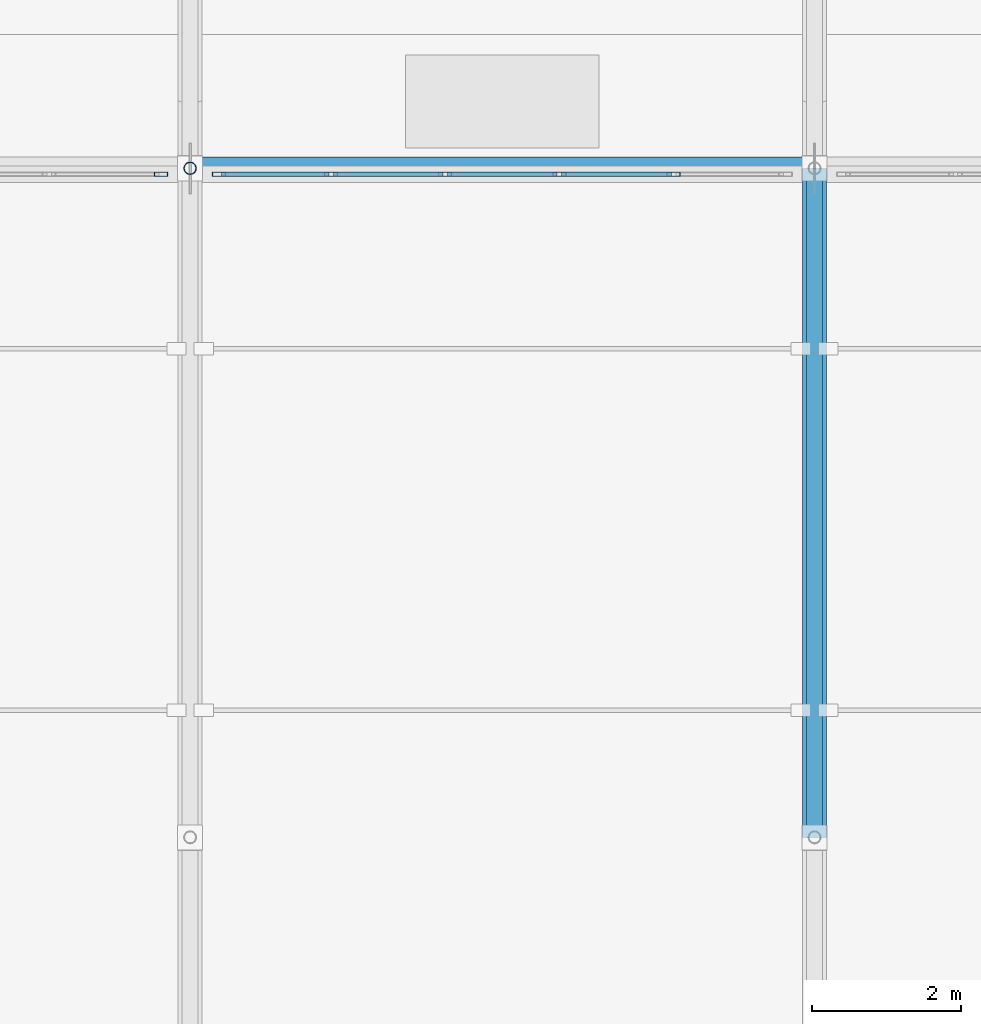
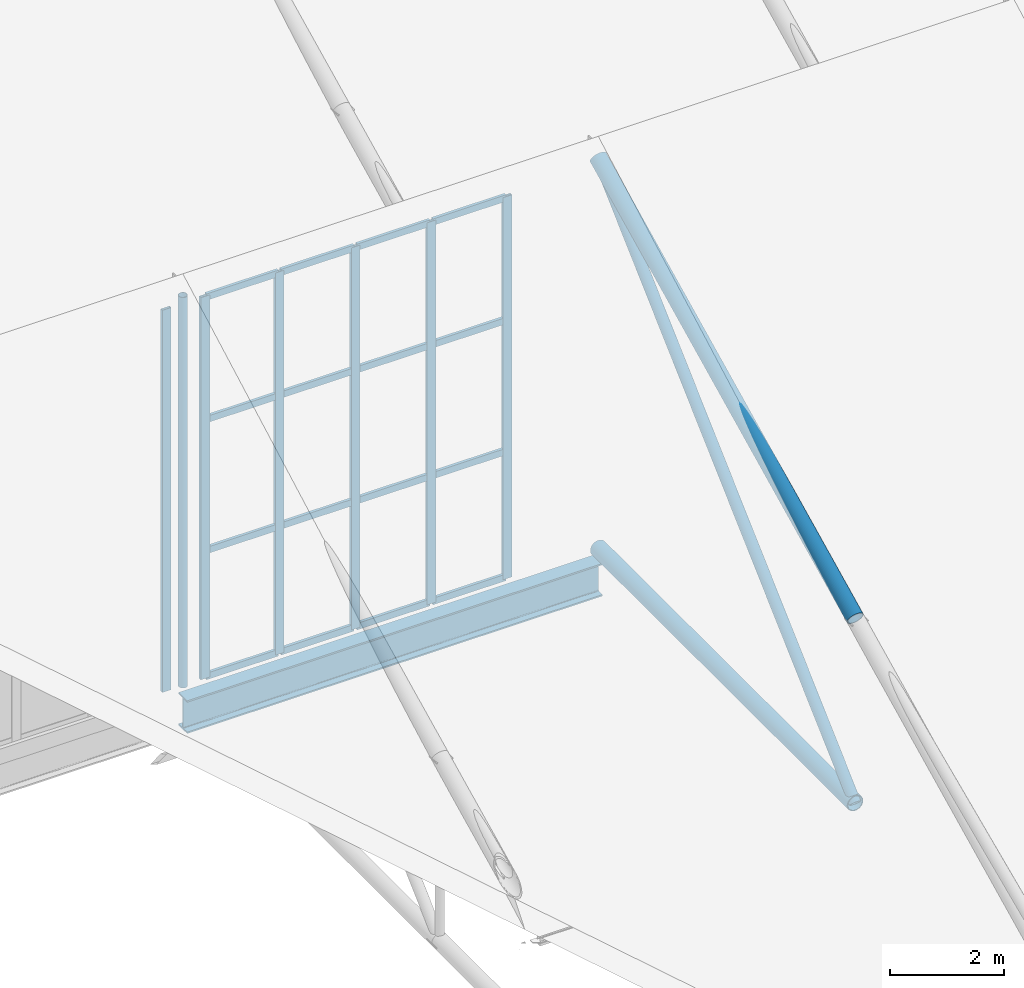
# One storey, part 7 of 38: 26 members, 1 beam, 2 elements without a shape of their own.
"""IFC4 building model written with IfcOpenShell, lengths in metres."""

from ifc_helpers import new_model, si_unit, direction, frame, origin, origin_2d, place, context, subcontext, project, spatial, hollow_rectangle, hollow_circle, i_section, extrude, material, material_profile, profile_set, type_object, element, aggregate, save


model = new_model("IFC4")

# Units and contexts
model_context = context("Model", 3, precision=1e-05, world=origin(), true_north=direction((0.0, 1.0)))
body_context = subcontext(model_context, "Body", "Model", "MODEL_VIEW")
ifc_project = project(units=[si_unit("LENGTHUNIT", "METRE"), si_unit("AREAUNIT", "SQUARE_METRE"), si_unit("VOLUMEUNIT", "CUBIC_METRE"), si_unit("PLANEANGLEUNIT", "RADIAN"), si_unit("MASSUNIT", "GRAM", prefix="KILO")], contexts=[model_context])

# Site, building, storey
site_placement = place(None, origin())
site = spatial("IfcSite", under=ifc_project, at=site_placement, CompositionType="ELEMENT")
building_placement = place(site_placement, origin())
building = spatial("IfcBuilding", under=site, at=building_placement, Name="Veltarok Museum of Natural Sciences", CompositionType="ELEMENT")
storey_placement = place(building_placement, frame((0.0, 0.0, 31.199951171875)))
storey = spatial("IfcBuildingStorey", under=building, at=storey_placement, Name="RF", CompositionType="ELEMENT", Elevation=31.199951171875)

# Beam
ifc_material_1 = material(Name="Steel S355J2", Category="steel")
ifc_material_profile_1 = material_profile(ifc_material_1, i_section(OverallWidth=0.300048828125, OverallDepth=0.699951171875, WebThickness=0.01708984375, FlangeThickness=0.031982421875, FilletRadius=0.027099609375, at=origin_2d()), Name="HEB 700")
ifc_profile_set_1 = profile_set([ifc_material_profile_1], Name="Steel S355J2")
beam_type = type_object("IfcBeamType", Name="Long-Span Hall Girder HEB 700", PredefinedType="BEAM", material=ifc_profile_set_1)
beam_placement = place(storey_placement, frame((48.39990234375, 54.0, -6.389892578125), z_axis=(1.0, 0.0, 0.0), x_axis=(0.0, 1.0, 0.0)))
element("IfcBeam", 1, at=beam_placement, inside=storey, type_object=beam_type, Name="Sawtooth Valley Girder 6-7 Y=54.0", PredefinedType="BEAM", context=body_context, shape_type="SweptSolid", body=[
    extrude(i_section(OverallWidth=0.300048828125, OverallDepth=0.699951171875, WebThickness=0.01708984375, FlangeThickness=0.031982421875, FilletRadius=0.027099609375, at=origin_2d()), origin(), (0.0, 0.0, 1.0), 8.400146484375),
])

# Curtain wall, member
ifc_material_2 = material(Name="Low-iron triple insulated glass", Category="glass")
curtain_wall_type = type_object("IfcCurtainWallType", Name="Curtain Wall System CW-SAW-M1-768x817 (Sawtooth North Clerestory M1 768x817cm)", PredefinedType="NOTDEFINED", material=ifc_material_2)
curtain_wall_1_placement = place(storey_placement, origin())
curtain_wall_1 = element("IfcCurtainWall", 2, at=curtain_wall_1_placement, inside=storey, type_object=curtain_wall_type, Name="Curtain Wall CW-SAW-M1-768x817 CW-SAW-0072", PredefinedType="NOTDEFINED")
ifc_material_3 = material(Name="Thermally broken anodised aluminium", Category="aluminium")
ifc_material_profile_2 = material_profile(ifc_material_3, hollow_rectangle(XDim=0.06005859375, YDim=0.179931640625, WallThickness=0.006103515625, at=origin_2d()), Name="CW MULLION 60x180x6")
ifc_profile_set_2 = profile_set([ifc_material_profile_2], Name="Thermally broken anodised aluminium")
member_type_1 = type_object("IfcMemberType", Name="Sawtooth Clerestory Mullion 60x180x6", PredefinedType="MULLION", material=ifc_profile_set_2)
member_1_placement = place(storey_placement, frame((48.010009765625, 53.919921875, -5.719970703125), z_axis=(0.0, 0.0, 1.0), x_axis=(0.0, -1.0, 0.0)))
member_1 = element("IfcMember", 3, at=member_1_placement, type_object=member_type_1, Name="CW-SAW-M1-768x817 mullion 1", PredefinedType="MULLION", context=body_context, shape_type="SweptSolid", body=[
    extrude(hollow_rectangle(XDim=0.06005859375, YDim=0.179931640625, WallThickness=0.006103515625, at=origin_2d()), origin(), (0.0, 0.0, 1.0), 8.169921875),
])
aggregate(curtain_wall_1, [member_1])

# Curtain wall, members
curtain_wall_2_placement = place(storey_placement, origin())
curtain_wall_2 = element("IfcCurtainWall", 4, at=curtain_wall_2_placement, inside=storey, type_object=curtain_wall_type, Name="Curtain Wall CW-SAW-M1-768x817 CW-SAW-0074", PredefinedType="NOTDEFINED")
member_2_placement = place(storey_placement, frame((54.904052734375, 53.919921875, -5.719970703125), z_axis=(0.0, 0.0, 1.0), x_axis=(0.0, -1.0, 0.0)))
member_2 = element("IfcMember", 5, at=member_2_placement, type_object=member_type_1, Name="CW-SAW-M1-768x817 mullion 2", PredefinedType="MULLION", context=body_context, shape_type="SweptSolid", body=[
    extrude(hollow_rectangle(XDim=0.06005859375, YDim=0.179931640625, WallThickness=0.006103515625, at=origin_2d()), origin(), (0.0, 0.0, 1.0), 8.169921875),
])
member_3_placement = place(storey_placement, frame((53.367919921875, 53.919921875, -5.719970703125), z_axis=(0.0, 0.0, 1.0), x_axis=(0.0, -1.0, 0.0)))
member_3 = element("IfcMember", 6, at=member_3_placement, type_object=member_type_1, Name="CW-SAW-M1-768x817 mullion 3", PredefinedType="MULLION", context=body_context, shape_type="SweptSolid", body=[
    extrude(hollow_rectangle(XDim=0.06005859375, YDim=0.179931640625, WallThickness=0.006103515625, at=origin_2d()), origin(), (0.0, 0.0, 1.0), 8.169921875),
])
member_4_placement = place(storey_placement, frame((51.83203125, 53.919921875, -5.719970703125), z_axis=(0.0, 0.0, 1.0), x_axis=(0.0, -1.0, 0.0)))
member_4 = element("IfcMember", 7, at=member_4_placement, type_object=member_type_1, Name="CW-SAW-M1-768x817 mullion 4", PredefinedType="MULLION", context=body_context, shape_type="SweptSolid", body=[
    extrude(hollow_rectangle(XDim=0.06005859375, YDim=0.179931640625, WallThickness=0.006103515625, at=origin_2d()), origin(), (0.0, 0.0, 1.0), 8.169921875),
])
member_5_placement = place(storey_placement, frame((50.2958984375, 53.919921875, -5.719970703125), z_axis=(0.0, 0.0, 1.0), x_axis=(0.0, -1.0, 0.0)))
member_5 = element("IfcMember", 8, at=member_5_placement, type_object=member_type_1, Name="CW-SAW-M1-768x817 mullion 5", PredefinedType="MULLION", context=body_context, shape_type="SweptSolid", body=[
    extrude(hollow_rectangle(XDim=0.06005859375, YDim=0.179931640625, WallThickness=0.006103515625, at=origin_2d()), origin(), (0.0, 0.0, 1.0), 8.169921875),
])
member_6_placement = place(storey_placement, frame((48.7900390625, 53.919921875, -5.719970703125), z_axis=(0.0, 0.0, 1.0), x_axis=(0.0, -1.0, 0.0)))
member_6 = element("IfcMember", 9, at=member_6_placement, type_object=member_type_1, Name="CW-SAW-M1-768x817 mullion 6", PredefinedType="MULLION", context=body_context, shape_type="SweptSolid", body=[
    extrude(hollow_rectangle(XDim=0.06005859375, YDim=0.179931640625, WallThickness=0.006103515625, at=origin_2d()), origin(), (0.0, 0.0, 1.0), 8.169921875),
])
ifc_material_profile_3 = material_profile(ifc_material_3, hollow_rectangle(XDim=0.06005859375, YDim=0.139892578125, WallThickness=0.0048828125, at=origin_2d()), Name="CW TRANSOM 60x140x5")
ifc_profile_set_3 = profile_set([ifc_material_profile_3], Name="Thermally broken anodised aluminium")
member_type_2 = type_object("IfcMemberType", Name="Sawtooth Clerestory Transom 60x140x5", PredefinedType="USERDEFINED", material=ifc_profile_set_3)
member_7_placement = place(storey_placement, frame((54.8740234375, 53.919921875, -5.68994140625), z_axis=(-1.0, 0.0, 0.0), x_axis=(0.0, -1.0, 0.0)))
member_7 = element("IfcMember", 10, at=member_7_placement, type_object=member_type_2, Name="CW-SAW-M1-768x817 transom 2.1", ObjectType="TRANSOM", PredefinedType="USERDEFINED", context=body_context, shape_type="SweptSolid", body=[
    extrude(hollow_rectangle(XDim=0.06005859375, YDim=0.139892578125, WallThickness=0.0048828125, at=origin_2d()), origin(), (0.0, 0.0, 1.0), 1.47607421875),
])
member_8_placement = place(storey_placement, frame((54.8740234375, 53.919921875, -3.0), z_axis=(-1.0, 0.0, 0.0), x_axis=(0.0, -1.0, 0.0)))
member_8 = element("IfcMember", 11, at=member_8_placement, type_object=member_type_2, Name="CW-SAW-M1-768x817 transom 2.2", ObjectType="TRANSOM", PredefinedType="USERDEFINED", context=body_context, shape_type="SweptSolid", body=[
    extrude(hollow_rectangle(XDim=0.06005859375, YDim=0.139892578125, WallThickness=0.0048828125, at=origin_2d()), origin(), (0.0, 0.0, 1.0), 1.47607421875),
])
member_9_placement = place(storey_placement, frame((54.8740234375, 53.919921875, -0.199951171875), z_axis=(-1.0, 0.0, 0.0), x_axis=(0.0, -1.0, 0.0)))
member_9 = element("IfcMember", 12, at=member_9_placement, type_object=member_type_2, Name="CW-SAW-M1-768x817 transom 2.3", ObjectType="TRANSOM", PredefinedType="USERDEFINED", context=body_context, shape_type="SweptSolid", body=[
    extrude(hollow_rectangle(XDim=0.06005859375, YDim=0.139892578125, WallThickness=0.0048828125, at=origin_2d()), origin(), (0.0, 0.0, 1.0), 1.47607421875),
])
member_10_placement = place(storey_placement, frame((54.8740234375, 53.919921875, 2.420166015625), z_axis=(-1.0, 0.0, 0.0), x_axis=(0.0, -1.0, 0.0)))
member_10 = element("IfcMember", 13, at=member_10_placement, type_object=member_type_2, Name="CW-SAW-M1-768x817 transom 2.4", ObjectType="TRANSOM", PredefinedType="USERDEFINED", context=body_context, shape_type="SweptSolid", body=[
    extrude(hollow_rectangle(XDim=0.06005859375, YDim=0.139892578125, WallThickness=0.0048828125, at=origin_2d()), origin(), (0.0, 0.0, 1.0), 1.47607421875),
])
member_11_placement = place(storey_placement, frame((53.337890625, 53.919921875, -5.68994140625), z_axis=(-1.0, 0.0, 0.0), x_axis=(0.0, -1.0, 0.0)))
member_11 = element("IfcMember", 14, at=member_11_placement, type_object=member_type_2, Name="CW-SAW-M1-768x817 transom 3.1", ObjectType="TRANSOM", PredefinedType="USERDEFINED", context=body_context, shape_type="SweptSolid", body=[
    extrude(hollow_rectangle(XDim=0.06005859375, YDim=0.139892578125, WallThickness=0.0048828125, at=origin_2d()), origin(), (0.0, 0.0, 1.0), 1.475830078125),
])
member_12_placement = place(storey_placement, frame((53.337890625, 53.919921875, -3.0), z_axis=(-1.0, 0.0, 0.0), x_axis=(0.0, -1.0, 0.0)))
member_12 = element("IfcMember", 15, at=member_12_placement, type_object=member_type_2, Name="CW-SAW-M1-768x817 transom 3.2", ObjectType="TRANSOM", PredefinedType="USERDEFINED", context=body_context, shape_type="SweptSolid", body=[
    extrude(hollow_rectangle(XDim=0.06005859375, YDim=0.139892578125, WallThickness=0.0048828125, at=origin_2d()), origin(), (0.0, 0.0, 1.0), 1.475830078125),
])
member_13_placement = place(storey_placement, frame((53.337890625, 53.919921875, -0.199951171875), z_axis=(-1.0, 0.0, 0.0), x_axis=(0.0, -1.0, 0.0)))
member_13 = element("IfcMember", 16, at=member_13_placement, type_object=member_type_2, Name="CW-SAW-M1-768x817 transom 3.3", ObjectType="TRANSOM", PredefinedType="USERDEFINED", context=body_context, shape_type="SweptSolid", body=[
    extrude(hollow_rectangle(XDim=0.06005859375, YDim=0.139892578125, WallThickness=0.0048828125, at=origin_2d()), origin(), (0.0, 0.0, 1.0), 1.475830078125),
])
member_14_placement = place(storey_placement, frame((53.337890625, 53.919921875, 2.420166015625), z_axis=(-1.0, 0.0, 0.0), x_axis=(0.0, -1.0, 0.0)))
member_14 = element("IfcMember", 17, at=member_14_placement, type_object=member_type_2, Name="CW-SAW-M1-768x817 transom 3.4", ObjectType="TRANSOM", PredefinedType="USERDEFINED", context=body_context, shape_type="SweptSolid", body=[
    extrude(hollow_rectangle(XDim=0.06005859375, YDim=0.139892578125, WallThickness=0.0048828125, at=origin_2d()), origin(), (0.0, 0.0, 1.0), 1.475830078125),
])
member_15_placement = place(storey_placement, frame((51.802001953125, 53.919921875, -5.68994140625), z_axis=(-1.0, 0.0, 0.0), x_axis=(0.0, -1.0, 0.0)))
member_15 = element("IfcMember", 18, at=member_15_placement, type_object=member_type_2, Name="CW-SAW-M1-768x817 transom 4.1", ObjectType="TRANSOM", PredefinedType="USERDEFINED", context=body_context, shape_type="SweptSolid", body=[
    extrude(hollow_rectangle(XDim=0.06005859375, YDim=0.139892578125, WallThickness=0.0048828125, at=origin_2d()), origin(), (0.0, 0.0, 1.0), 1.47607421875),
])
member_16_placement = place(storey_placement, frame((51.802001953125, 53.919921875, -3.0), z_axis=(-1.0, 0.0, 0.0), x_axis=(0.0, -1.0, 0.0)))
member_16 = element("IfcMember", 19, at=member_16_placement, type_object=member_type_2, Name="CW-SAW-M1-768x817 transom 4.2", ObjectType="TRANSOM", PredefinedType="USERDEFINED", context=body_context, shape_type="SweptSolid", body=[
    extrude(hollow_rectangle(XDim=0.06005859375, YDim=0.139892578125, WallThickness=0.0048828125, at=origin_2d()), origin(), (0.0, 0.0, 1.0), 1.47607421875),
])
member_17_placement = place(storey_placement, frame((51.802001953125, 53.919921875, -0.199951171875), z_axis=(-1.0, 0.0, 0.0), x_axis=(0.0, -1.0, 0.0)))
member_17 = element("IfcMember", 20, at=member_17_placement, type_object=member_type_2, Name="CW-SAW-M1-768x817 transom 4.3", ObjectType="TRANSOM", PredefinedType="USERDEFINED", context=body_context, shape_type="SweptSolid", body=[
    extrude(hollow_rectangle(XDim=0.06005859375, YDim=0.139892578125, WallThickness=0.0048828125, at=origin_2d()), origin(), (0.0, 0.0, 1.0), 1.47607421875),
])
member_18_placement = place(storey_placement, frame((51.802001953125, 53.919921875, 2.420166015625), z_axis=(-1.0, 0.0, 0.0), x_axis=(0.0, -1.0, 0.0)))
member_18 = element("IfcMember", 21, at=member_18_placement, type_object=member_type_2, Name="CW-SAW-M1-768x817 transom 4.4", ObjectType="TRANSOM", PredefinedType="USERDEFINED", context=body_context, shape_type="SweptSolid", body=[
    extrude(hollow_rectangle(XDim=0.06005859375, YDim=0.139892578125, WallThickness=0.0048828125, at=origin_2d()), origin(), (0.0, 0.0, 1.0), 1.47607421875),
])
member_19_placement = place(storey_placement, frame((50.26611328125, 53.919921875, -5.68994140625), z_axis=(-1.0, 0.0, 0.0), x_axis=(0.0, -1.0, 0.0)))
member_19 = element("IfcMember", 22, at=member_19_placement, type_object=member_type_2, Name="CW-SAW-M1-768x817 transom 5.1", ObjectType="TRANSOM", PredefinedType="USERDEFINED", context=body_context, shape_type="SweptSolid", body=[
    extrude(hollow_rectangle(XDim=0.06005859375, YDim=0.139892578125, WallThickness=0.0048828125, at=origin_2d()), origin(), (0.0, 0.0, 1.0), 1.446044921875),
])
member_20_placement = place(storey_placement, frame((50.26611328125, 53.919921875, -3.0), z_axis=(-1.0, 0.0, 0.0), x_axis=(0.0, -1.0, 0.0)))
member_20 = element("IfcMember", 23, at=member_20_placement, type_object=member_type_2, Name="CW-SAW-M1-768x817 transom 5.2", ObjectType="TRANSOM", PredefinedType="USERDEFINED", context=body_context, shape_type="SweptSolid", body=[
    extrude(hollow_rectangle(XDim=0.06005859375, YDim=0.139892578125, WallThickness=0.0048828125, at=origin_2d()), origin(), (0.0, 0.0, 1.0), 1.446044921875),
])
member_21_placement = place(storey_placement, frame((50.26611328125, 53.919921875, -0.199951171875), z_axis=(-1.0, 0.0, 0.0), x_axis=(0.0, -1.0, 0.0)))
member_21 = element("IfcMember", 24, at=member_21_placement, type_object=member_type_2, Name="CW-SAW-M1-768x817 transom 5.3", ObjectType="TRANSOM", PredefinedType="USERDEFINED", context=body_context, shape_type="SweptSolid", body=[
    extrude(hollow_rectangle(XDim=0.06005859375, YDim=0.139892578125, WallThickness=0.0048828125, at=origin_2d()), origin(), (0.0, 0.0, 1.0), 1.446044921875),
])
member_22_placement = place(storey_placement, frame((50.26611328125, 53.919921875, 2.420166015625), z_axis=(-1.0, 0.0, 0.0), x_axis=(0.0, -1.0, 0.0)))
member_22 = element("IfcMember", 25, at=member_22_placement, type_object=member_type_2, Name="CW-SAW-M1-768x817 transom 5.4", ObjectType="TRANSOM", PredefinedType="USERDEFINED", context=body_context, shape_type="SweptSolid", body=[
    extrude(hollow_rectangle(XDim=0.06005859375, YDim=0.139892578125, WallThickness=0.0048828125, at=origin_2d()), origin(), (0.0, 0.0, 1.0), 1.446044921875),
])
aggregate(curtain_wall_2, [member_2, member_3, member_4, member_5, member_6, member_7, member_8, member_9, member_10, member_11, member_12, member_13, member_14, member_15, member_16, member_17, member_18, member_19, member_20, member_21, member_22])

# Members
ifc_material_4 = material(Name="Oxide-red painted Steel S355J2", Category="steel")
ifc_material_profile_4 = material_profile(ifc_material_4, hollow_circle(Radius=0.161865234375, WallThickness=0.01611328125, at=origin_2d()), Name="CHS 323.9x16")
ifc_profile_set_4 = profile_set([ifc_material_profile_4], Name="Oxide-red painted Steel S355J2")
member_type_3 = type_object("IfcMemberType", Name="Sawtooth Truss Chord CHS 323.9x16", PredefinedType="CHORD", material=ifc_profile_set_4)
member_23_placement = place(storey_placement, frame((56.800048828125, 45.0, -5.800048828125), z_axis=(0.0, 1.0, 0.0), x_axis=(-1.0, 0.0, 0.0)))
element("IfcMember", 26, at=member_23_placement, inside=storey, type_object=member_type_3, Name="Roof Truss Bottom Chord 7 M1", PredefinedType="CHORD", context=body_context, shape_type="SweptSolid", body=[
    extrude(hollow_circle(Radius=0.161865234375, WallThickness=0.01611328125, at=origin_2d()), origin(), (0.0, 0.0, 1.0), 9.0),
])
member_24_placement = place(storey_placement, frame((56.800048828125, 45.0, -1.849853515625), z_axis=(0.0, 0.898388207299, 0.439202264322), x_axis=(-1.0, 0.0, 0.0)))
element("IfcMember", 27, at=member_24_placement, inside=storey, type_object=member_type_3, Name="Roof Truss Top Chord 7 M1", PredefinedType="CHORD", context=body_context, shape_type="SweptSolid", body=[
    extrude(hollow_circle(Radius=0.161865234375, WallThickness=0.01611328125, at=origin_2d()), origin(), (0.0, 0.0, 1.0), 10.017822265625),
])
ifc_material_profile_5 = material_profile(ifc_material_4, hollow_circle(Radius=0.084228515625, WallThickness=0.008056640625, at=origin_2d()), Name="CHS 168.3x8")
ifc_profile_set_5 = profile_set([ifc_material_profile_5], Name="Oxide-red painted Steel S355J2")
member_type_4 = type_object("IfcMemberType", Name="Sawtooth Truss Vertical Strut CHS 168.3x8", PredefinedType="STRUT", material=ifc_profile_set_5)
member_25_placement = place(storey_placement, frame((48.39990234375, 54.0, -5.800048828125), z_axis=(0.0, 0.0, 1.0), x_axis=(1.0, 0.0, 0.0)))
element("IfcMember", 28, at=member_25_placement, inside=storey, type_object=member_type_4, Name="Roof Truss Strut 6 M1", PredefinedType="STRUT", context=body_context, shape_type="SweptSolid", body=[
    extrude(hollow_circle(Radius=0.084228515625, WallThickness=0.008056640625, at=origin_2d()), origin(), (0.0, 0.0, 1.0), 8.35009765625),
])
ifc_material_profile_6 = material_profile(ifc_material_4, hollow_circle(Radius=0.109619140625, WallThickness=0.010009765625, at=origin_2d()), Name="CHS 219.1x10")
ifc_profile_set_6 = profile_set([ifc_material_profile_6], Name="Oxide-red painted Steel S355J2")
member_type_5 = type_object("IfcMemberType", Name="Sawtooth Truss Web Diagonal CHS 219.1x10", PredefinedType="BRACE", material=ifc_profile_set_6)
member_26_placement = place(storey_placement, frame((56.800048828125, 45.0, -5.800048828125), z_axis=(0.0, 0.733079568112, 0.680142887059), x_axis=(-1.0, 0.0, 0.0)))
element("IfcMember", 29, at=member_26_placement, inside=storey, type_object=member_type_5, Name="Roof Truss Diagonal 7 M1", PredefinedType="BRACE", context=body_context, shape_type="SweptSolid", body=[
    extrude(hollow_circle(Radius=0.109619140625, WallThickness=0.010009765625, at=origin_2d()), origin(), (0.0, 0.0, 1.0), 12.27685546875),
])

save(model, "model.ifc")
